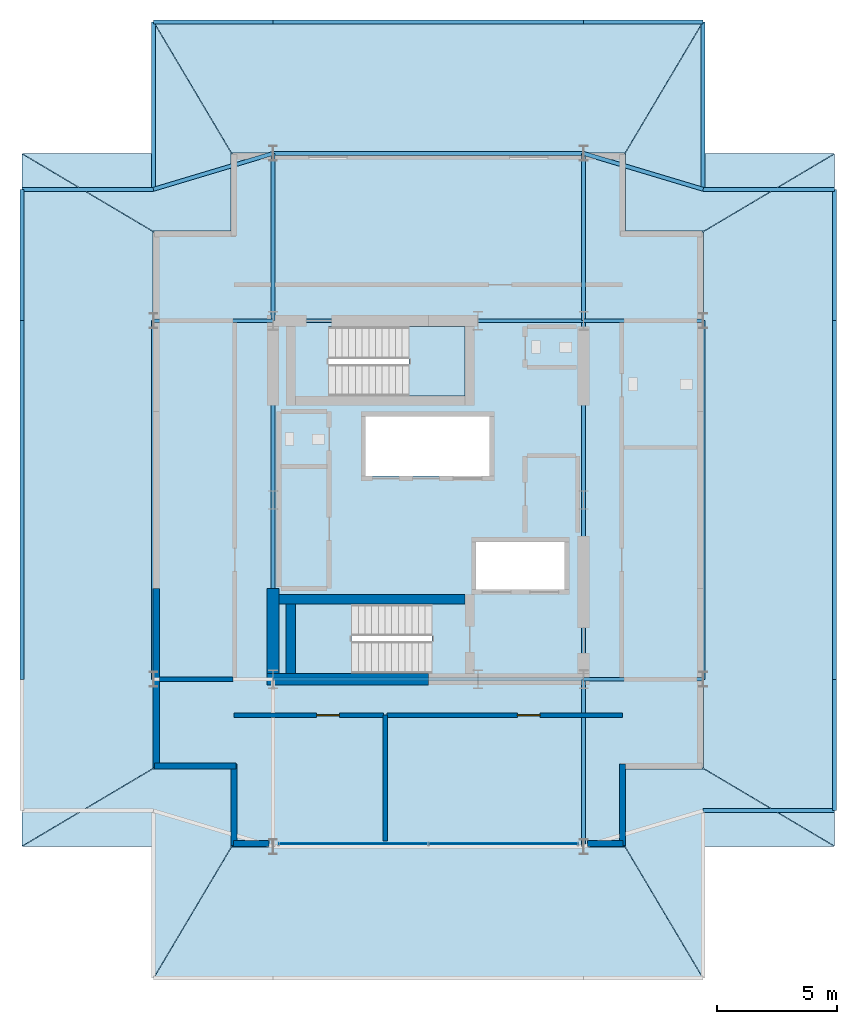
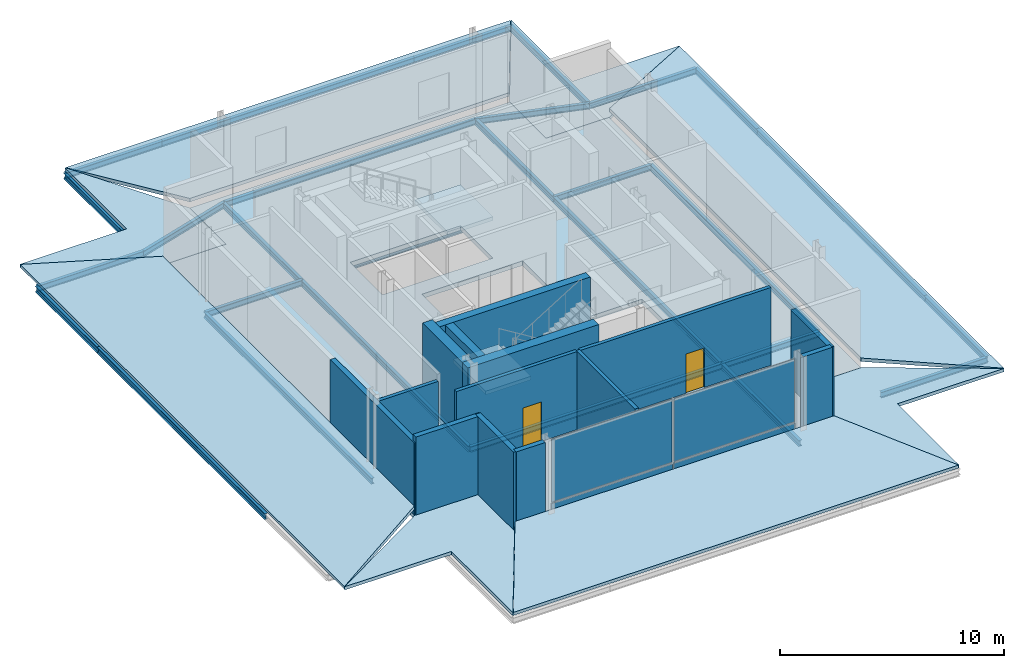
# One storey, part 5 of 9: 28 beams, 14 walls, 11 slabs, 4 plates, 2 doors, 2 openings, 3 elements without a shape of their own.
"""IFC4 building model written with IfcOpenShell, lengths in metres."""

from ifc_helpers import new_model, si_unit, direction, frame, frame_2d, origin, origin_2d, place, context, subcontext, project, spatial, polyline, rectangle, i_section, outline, extrude, material, layer, layer_set, material_profile, profile_set, type_object, element, fill, aggregate, save


model = new_model("IFC4")

# Units and contexts
model_context = context("Model", 3, precision=1e-05, world=origin(), true_north=direction((0.0, 1.0)))
body_context = subcontext(model_context, "Body", "Model", "MODEL_VIEW")
ifc_project = project(units=[si_unit("LENGTHUNIT", "METRE"), si_unit("AREAUNIT", "SQUARE_METRE"), si_unit("VOLUMEUNIT", "CUBIC_METRE"), si_unit("PLANEANGLEUNIT", "RADIAN"), si_unit("MASSUNIT", "GRAM", prefix="KILO")], contexts=[model_context])

# Site, building, storey
site_placement = place(None, origin())
site = spatial("IfcSite", under=ifc_project, at=site_placement, CompositionType="ELEMENT")
building_placement = place(site_placement, origin())
building = spatial("IfcBuilding", under=site, at=building_placement, Name="Barlavira Tower and Art Museum", CompositionType="ELEMENT")
storey_placement = place(building_placement, frame((0.0, 0.0, 309.89990234375)))
storey = spatial("IfcBuildingStorey", under=building, at=storey_placement, Name="L81", CompositionType="ELEMENT", Elevation=309.89990234375)

# Beams
ifc_material_1 = material(Name="Steel S355", Category="steel")
ifc_material_profile = material_profile(ifc_material_1, i_section(OverallWidth=0.1669921875, OverallDepth=0.31689453125, WebThickness=0.007568359375, FlangeThickness=0.01318359375, at=origin_2d()), Name="W310x52.0")
ifc_profile_set = profile_set([ifc_material_profile], Name="Steel S355")
beam_type = type_object("IfcBeamType", Name="Crown Floor Joist W310x52 Steel S355", PredefinedType="JOIST", material=ifc_profile_set)
beam_1_placement = place(storey_placement, frame((-6.5, 14.5, -0.408447265625), z_axis=(1.0, 0.0, 0.0), x_axis=(0.0, 1.0, 0.0)))
element("IfcBeam", 1, at=beam_1_placement, inside=storey, type_object=beam_type, Name="L81 Crown Ring Beam CN", PredefinedType="JOIST", context=body_context, shape_type="SweptSolid", body=[
    extrude(i_section(OverallWidth=0.1669921875, OverallDepth=0.31689453125, WebThickness=0.007568359375, FlangeThickness=0.01318359375, at=origin_2d()), origin(), (0.0, 0.0, 1.0), 13.0),
])
for number, where, z_axis, x_axis, name in (
    (2, (-11.5, -7.5, -0.408447265625), (0.0, 1.0, 0.0), (-1.0, 0.0, 0.0), "L81 Crown Ring Beam CW1"),
    (3, (11.5, -7.5, -0.408447265625), (0.0, 1.0, 0.0), (-1.0, 0.0, 0.0), "L81 Crown Ring Beam CE1"),
):
    element("IfcBeam", number, at=place(storey_placement, frame(where, z_axis=z_axis, x_axis=x_axis)), inside=storey, type_object=beam_type, Name=name, PredefinedType="JOIST", context=body_context, shape_type="SweptSolid", body=[
        extrude(i_section(OverallWidth=0.1669921875, OverallDepth=0.31689453125, WebThickness=0.007568359375, FlangeThickness=0.01318359375, at=origin_2d()), origin(), (0.0, 0.0, 1.0), 15.0),
    ])
for number, where, z_axis, x_axis, name in (
    (4, (6.5, -14.5, -0.408447265625), (0.0, 1.0, 0.0), (-1.0, 0.0, 0.0), "L81 Crown Ring Beam CSR"),
    (5, (-6.5, 7.5, -0.408447265625), (0.0, 1.0, 0.0), (-1.0, 0.0, 0.0), "L81 Crown Ring Beam CNL"),
    (6, (6.5, 7.5, -0.408447265625), (0.0, 1.0, 0.0), (-1.0, 0.0, 0.0), "L81 Crown Ring Beam CNR"),
):
    element("IfcBeam", number, at=place(storey_placement, frame(where, z_axis=z_axis, x_axis=x_axis)), inside=storey, type_object=beam_type, Name=name, PredefinedType="JOIST", context=body_context, shape_type="SweptSolid", body=[
        extrude(i_section(OverallWidth=0.1669921875, OverallDepth=0.31689453125, WebThickness=0.007568359375, FlangeThickness=0.01318359375, at=origin_2d()), origin(), (0.0, 0.0, 1.0), 7.0),
    ])
for number, where, z_axis, x_axis, name in (
    (7, (-11.5, 7.5, -0.408447265625), (1.0, 0.0, 0.0), (0.0, 1.0, 0.0), "L81 Crown Ring Beam CWR"),
    (8, (6.5, -7.5, -0.408447265625), (1.0, 0.0, 0.0), (0.0, 1.0, 0.0), "L81 Crown Ring Beam CEL"),
    (9, (6.5, 7.5, -0.408447265625), (1.0, 0.0, 0.0), (0.0, 1.0, 0.0), "L81 Crown Ring Beam CER"),
):
    element("IfcBeam", number, at=place(storey_placement, frame(where, z_axis=z_axis, x_axis=x_axis)), inside=storey, type_object=beam_type, Name=name, PredefinedType="JOIST", context=body_context, shape_type="SweptSolid", body=[
        extrude(i_section(OverallWidth=0.1669921875, OverallDepth=0.31689453125, WebThickness=0.007568359375, FlangeThickness=0.01318359375, at=origin_2d()), origin(), (0.0, 0.0, 1.0), 5.0),
    ])
for number, where, z_axis, x_axis, name in (
    (10, (-6.5, -7.5, -0.408447265625), (1.0, 0.0, 0.0), (0.0, 1.0, 0.0), "L81 Crown Ring Beam CI1"),
    (11, (-6.5, 7.5, -0.408447265625), (1.0, 0.0, 0.0), (0.0, 1.0, 0.0), "L81 Crown Ring Beam CI2"),
):
    element("IfcBeam", number, at=place(storey_placement, frame(where, z_axis=z_axis, x_axis=x_axis)), inside=storey, type_object=beam_type, Name=name, PredefinedType="JOIST", context=body_context, shape_type="SweptSolid", body=[
        extrude(i_section(OverallWidth=0.1669921875, OverallDepth=0.31689453125, WebThickness=0.007568359375, FlangeThickness=0.01318359375, at=origin_2d()), origin(), (0.0, 0.0, 1.0), 13.0),
    ])
for number, where, z_axis, x_axis, name in (
    (12, (-6.5, -7.5, -0.408447265625), (0.0, 1.0, 0.0), (-1.0, 0.0, 0.0), "L81 Crown Ring Beam CI3"),
    (13, (6.5, -7.5, -0.408447265625), (0.0, 1.0, 0.0), (-1.0, 0.0, 0.0), "L81 Crown Ring Beam CI4"),
):
    element("IfcBeam", number, at=place(storey_placement, frame(where, z_axis=z_axis, x_axis=x_axis)), inside=storey, type_object=beam_type, Name=name, PredefinedType="JOIST", context=body_context, shape_type="SweptSolid", body=[
        extrude(i_section(OverallWidth=0.1669921875, OverallDepth=0.31689453125, WebThickness=0.007568359375, FlangeThickness=0.01318359375, at=origin_2d()), origin(), (0.0, 0.0, 1.0), 15.0),
    ])
beam_2_placement = place(storey_placement, frame((-11.5, 20.0, -0.408447265625), z_axis=(1.0, 0.0, 0.0), x_axis=(0.0, 1.0, 0.0)))
element("IfcBeam", 14, at=beam_2_placement, inside=storey, type_object=beam_type, Name="L81 Lookout Canopy Ring Beam CANN1", PredefinedType="JOIST", context=body_context, shape_type="SweptSolid", body=[
    extrude(i_section(OverallWidth=0.1669921875, OverallDepth=0.31689453125, WebThickness=0.007568359375, FlangeThickness=0.01318359375, at=origin_2d()), origin(), (0.0, 0.0, 1.0), 5.0),
])
beam_3_placement = place(storey_placement, frame((-6.5, 20.0, -0.408447265625), z_axis=(1.0, 0.0, 0.0), x_axis=(0.0, 1.0, 0.0)))
element("IfcBeam", 15, at=beam_3_placement, inside=storey, type_object=beam_type, Name="L81 Lookout Canopy Ring Beam CANN2", PredefinedType="JOIST", context=body_context, shape_type="SweptSolid", body=[
    extrude(i_section(OverallWidth=0.1669921875, OverallDepth=0.31689453125, WebThickness=0.007568359375, FlangeThickness=0.01318359375, at=origin_2d()), origin(), (0.0, 0.0, 1.0), 13.0),
])
beam_4_placement = place(storey_placement, frame((6.5, 20.0, -0.408447265625), z_axis=(1.0, 0.0, 0.0), x_axis=(0.0, 1.0, 0.0)))
element("IfcBeam", 16, at=beam_4_placement, inside=storey, type_object=beam_type, Name="L81 Lookout Canopy Ring Beam CANN3", PredefinedType="JOIST", context=body_context, shape_type="SweptSolid", body=[
    extrude(i_section(OverallWidth=0.1669921875, OverallDepth=0.31689453125, WebThickness=0.007568359375, FlangeThickness=0.01318359375, at=origin_2d()), origin(), (0.0, 0.0, 1.0), 5.0),
])
beam_5_placement = place(storey_placement, frame((-17.0, -7.5, -0.408447265625), z_axis=(0.0, 1.0, 0.0), x_axis=(-1.0, 0.0, 0.0)))
element("IfcBeam", 17, at=beam_5_placement, inside=storey, type_object=beam_type, Name="L81 Lookout Canopy Ring Beam CANW2", PredefinedType="JOIST", context=body_context, shape_type="SweptSolid", body=[
    extrude(i_section(OverallWidth=0.1669921875, OverallDepth=0.31689453125, WebThickness=0.007568359375, FlangeThickness=0.01318359375, at=origin_2d()), origin(), (0.0, 0.0, 1.0), 15.0),
])
for number, where, z_axis, x_axis, name in (
    (18, (-17.0, 7.5, -0.408447265625), (0.0, 1.0, 0.0), (-1.0, 0.0, 0.0), "L81 Lookout Canopy Ring Beam CANW3"),
    (19, (17.0, -13.0, -0.408447265625), (0.0, 1.0, 0.0), (-1.0, 0.0, 0.0), "L81 Lookout Canopy Ring Beam CANE1"),
):
    element("IfcBeam", number, at=place(storey_placement, frame(where, z_axis=z_axis, x_axis=x_axis)), inside=storey, type_object=beam_type, Name=name, PredefinedType="JOIST", context=body_context, shape_type="SweptSolid", body=[
        extrude(i_section(OverallWidth=0.1669921875, OverallDepth=0.31689453125, WebThickness=0.007568359375, FlangeThickness=0.01318359375, at=origin_2d()), origin(), (0.0, 0.0, 1.0), 5.5),
    ])
beam_6_placement = place(storey_placement, frame((17.0, -7.5, -0.408447265625), z_axis=(0.0, 1.0, 0.0), x_axis=(-1.0, 0.0, 0.0)))
element("IfcBeam", 20, at=beam_6_placement, inside=storey, type_object=beam_type, Name="L81 Lookout Canopy Ring Beam CANE2", PredefinedType="JOIST", context=body_context, shape_type="SweptSolid", body=[
    extrude(i_section(OverallWidth=0.1669921875, OverallDepth=0.31689453125, WebThickness=0.007568359375, FlangeThickness=0.01318359375, at=origin_2d()), origin(), (0.0, 0.0, 1.0), 15.0),
])
for number, where, z_axis, x_axis, name in (
    (21, (17.0, 7.5, -0.408447265625), (0.0, 1.0, 0.0), (-1.0, 0.0, 0.0), "L81 Lookout Canopy Ring Beam CANE3"),
    (22, (11.5, -13.0, -0.408447265625), (1.0, 0.0, 0.0), (0.0, 1.0, 0.0), "L81 Lookout Canopy Ring Beam CSE2"),
    (23, (11.5, 13.0, -0.408447265625), (1.0, 0.0, 0.0), (0.0, 1.0, 0.0), "L81 Lookout Canopy Ring Beam CNE1"),
):
    element("IfcBeam", number, at=place(storey_placement, frame(where, z_axis=z_axis, x_axis=x_axis)), inside=storey, type_object=beam_type, Name=name, PredefinedType="JOIST", context=body_context, shape_type="SweptSolid", body=[
        extrude(i_section(OverallWidth=0.1669921875, OverallDepth=0.31689453125, WebThickness=0.007568359375, FlangeThickness=0.01318359375, at=origin_2d()), origin(), (0.0, 0.0, 1.0), 5.5),
    ])
for number, where, z_axis, x_axis, name in (
    (24, (11.5, 13.0, -0.408447265625), (0.0, 1.0, 0.0), (-1.0, 0.0, 0.0), "L81 Lookout Canopy Ring Beam CNE2"),
    (25, (-11.5, 13.0, -0.408447265625), (0.0, 1.0, 0.0), (-1.0, 0.0, 0.0), "L81 Lookout Canopy Ring Beam CNW1"),
):
    element("IfcBeam", number, at=place(storey_placement, frame(where, z_axis=z_axis, x_axis=x_axis)), inside=storey, type_object=beam_type, Name=name, PredefinedType="JOIST", context=body_context, shape_type="SweptSolid", body=[
        extrude(i_section(OverallWidth=0.1669921875, OverallDepth=0.31689453125, WebThickness=0.007568359375, FlangeThickness=0.01318359375, at=origin_2d()), origin(), (0.0, 0.0, 1.0), 7.0),
    ])
beam_7_placement = place(storey_placement, frame((-17.0, 13.0, -0.408447265625), z_axis=(1.0, 0.0, 0.0), x_axis=(0.0, 1.0, 0.0)))
element("IfcBeam", 26, at=beam_7_placement, inside=storey, type_object=beam_type, Name="L81 Lookout Canopy Ring Beam CNW2", PredefinedType="JOIST", context=body_context, shape_type="SweptSolid", body=[
    extrude(i_section(OverallWidth=0.1669921875, OverallDepth=0.31689453125, WebThickness=0.007568359375, FlangeThickness=0.01318359375, at=origin_2d()), origin(), (0.0, 0.0, 1.0), 5.5),
])
for number, where, z_axis, x_axis, name in (
    (27, (-11.5, 13.0, -0.408447265625), (0.957826285221, 0.287347885566, 0.0), (-0.287347885566, 0.957826285221, 0.0), "L81 Lookout Canopy Ring Beam CRNW"),
    (28, (11.5, 13.0, -0.408447265625), (-0.957826285221, 0.287347885566, 0.0), (-0.287347885566, -0.957826285221, 0.0), "L81 Lookout Canopy Ring Beam CRNE"),
):
    element("IfcBeam", number, at=place(storey_placement, frame(where, z_axis=z_axis, x_axis=x_axis)), inside=storey, type_object=beam_type, Name=name, PredefinedType="JOIST", context=body_context, shape_type="SweptSolid", body=[
        extrude(i_section(OverallWidth=0.1669921875, OverallDepth=0.31689453125, WebThickness=0.007568359375, FlangeThickness=0.01318359375, at=origin_2d()), origin(), (0.0, 0.0, 1.0), 5.22021484375),
    ])

# Slab
ifc_material_2 = material(Name="Concrete C50", Category="concrete")
ifc_layer_1 = layer(ifc_material_2, 0.25, Name="Concrete C50")
ifc_layer_set_1 = layer_set([ifc_layer_1], Name="Concrete C50")
slab_type_1 = type_object("IfcSlabType", Name="Crown Conservatory and Plant Slab 250 Concrete C50", PredefinedType="FLOOR", material=ifc_layer_set_1)
slab_1_placement = place(storey_placement, frame((0.0, 0.0, -0.25)))
element("IfcSlab", 29, at=slab_1_placement, inside=storey, type_object=slab_type_1, Name="L81 Crown Floor Slab", PredefinedType="FLOOR", context=body_context, shape_type="SweptSolid", body=[
    extrude(outline(polyline([(-8.25, -14.5), (8.25, -14.5), (8.25, -11.25), (11.5, -11.25), (11.5, 11.25), (8.25, 11.25), (8.25, 14.5), (-8.25, 14.5), (-8.25, 11.25), (-11.5, 11.25), (-11.5, -11.25), (-8.25, -11.25), (-8.25, -14.5)]), holes=[polyline([(0.14990234375, -4.35009765625), (-5.550048828125, -4.35009765625), (-5.550048828125, -7.25), (0.14990234375, -7.25), (0.14990234375, -4.35009765625)]), polyline([(-4.169921875, 4.35009765625), (1.530029296875, 4.35009765625), (1.530029296875, 7.25), (-4.169921875, 7.25), (-4.169921875, 4.35009765625)]), polyline([(-2.6201171875, 1.0), (2.56005859375, 1.0), (2.56005859375, 3.5), (-2.6201171875, 3.5), (-2.6201171875, 1.0)]), polyline([(2.0, -3.75), (5.699951171875, -3.75), (5.699951171875, -1.75), (2.0, -1.75), (2.0, -3.75)])]), origin(), (0.0, 0.0, 1.0), 0.25),
])

# Curtain wall, plates
ifc_material_3 = material(Name="Low-iron coastal laminated glass", Category="glass")
ifc_layer_2 = layer(ifc_material_3, 0.22998046875, Name="Low-iron coastal laminated glass")
ifc_layer_set_2 = layer_set([ifc_layer_2], Name="Low-iron coastal laminated glass")
curtain_wall_type = type_object("IfcCurtainWallType", Name="Winter-Garden Conservatory Glazed Curtain Wall", PredefinedType="NOTDEFINED", material=ifc_layer_set_2)
curtain_wall_placement = place(storey_placement, origin())
curtain_wall = element("IfcCurtainWall", 30, at=curtain_wall_placement, inside=storey, type_object=curtain_wall_type, Name="L81 Curtain Wall CW7-L81-S-B2", PredefinedType="NOTDEFINED")
ifc_material_4 = material(Name="Pale anodised aluminium", Category="aluminium")
ifc_layer_3 = layer(ifc_material_4, 0.044921875, Name="Pale anodised aluminium")
ifc_layer_set_3 = layer_set([ifc_layer_3], Name="Pale anodised aluminium")
plate_type_1 = type_object("IfcPlateType", Name="Curtain Wall Pale-Metal Spandrel Panel 45", PredefinedType="CURTAIN_PANEL", material=ifc_layer_set_3)
plate_1_placement = place(storey_placement, frame((-3.157958984375, -14.3798828125, 0.0400390625), z_axis=(0.0, 0.0, 1.0), x_axis=(1.0, 0.0, 0.0)))
plate_1 = element("IfcPlate", 31, at=plate_1_placement, type_object=plate_type_1, Name="CW7-L81-S-B2 Spandrel Panel 0", PredefinedType="CURTAIN_PANEL", context=body_context, shape_type="SweptSolid", body=[
    extrude(rectangle(XDim=6.216064453125, YDim=0.044921875, at=origin_2d()), origin(), (0.0, 0.0, 1.0), 0.669921875),
])
plate_2_placement = place(storey_placement, frame((3.157958984375, -14.3798828125, 0.0400390625), z_axis=(0.0, 0.0, 1.0), x_axis=(1.0, 0.0, 0.0)))
plate_2 = element("IfcPlate", 32, at=plate_2_placement, type_object=plate_type_1, Name="CW7-L81-S-B2 Spandrel Panel 1", PredefinedType="CURTAIN_PANEL", context=body_context, shape_type="SweptSolid", body=[
    extrude(rectangle(XDim=6.216064453125, YDim=0.044921875, at=origin_2d()), origin(), (0.0, 0.0, 1.0), 0.669921875),
])
ifc_layer_4 = layer(ifc_material_3, 0.028076171875, Name="Low-iron coastal laminated glass")
ifc_layer_set_4 = layer_set([ifc_layer_4], Name="Low-iron coastal laminated glass")
plate_type_2 = type_object("IfcPlateType", Name="Curtain Wall Vision Glazing Panel 28", PredefinedType="CURTAIN_PANEL", material=ifc_layer_set_4)
plate_3_placement = place(storey_placement, frame((-3.157958984375, -14.3798828125, 0.7900390625), z_axis=(0.0, 0.0, 1.0), x_axis=(1.0, 0.0, 0.0)))
plate_3 = element("IfcPlate", 33, at=plate_3_placement, type_object=plate_type_2, Name="CW7-L81-S-B2 Vision Glass Panel 0", PredefinedType="CURTAIN_PANEL", context=body_context, shape_type="SweptSolid", body=[
    extrude(rectangle(XDim=6.216064453125, YDim=0.028076171875, at=origin_2d()), origin(), (0.0, 0.0, 1.0), 3.419921875),
])
plate_4_placement = place(storey_placement, frame((3.157958984375, -14.3798828125, 0.7900390625), z_axis=(0.0, 0.0, 1.0), x_axis=(1.0, 0.0, 0.0)))
plate_4 = element("IfcPlate", 34, at=plate_4_placement, type_object=plate_type_2, Name="CW7-L81-S-B2 Vision Glass Panel 1", PredefinedType="CURTAIN_PANEL", context=body_context, shape_type="SweptSolid", body=[
    extrude(rectangle(XDim=6.216064453125, YDim=0.028076171875, at=origin_2d()), origin(), (0.0, 0.0, 1.0), 3.419921875),
])
aggregate(curtain_wall, [plate_1, plate_3, plate_2, plate_4])

# Slabs
ifc_material_5 = material(Name="Pale anodised steel S355", Category="steel")
ifc_layer_5 = layer(ifc_material_5, 0.179931640625, Name="Pale anodised steel S355")
ifc_layer_set_5 = layer_set([ifc_layer_5], Name="Pale anodised steel S355")
slab_type_2 = type_object("IfcSlabType", Name="Sloped Pale-Metal Lookout Canopy Roof 180 Steel S355", PredefinedType="ROOF", material=ifc_layer_set_5)
slab_2_placement = place(storey_placement, frame((-8.22998046875, -14.52001953125, 0.5), z_axis=(0.0, -0.090863766544, 0.995863331953), x_axis=(1.0, 0.0, 0.0)))
element("IfcSlab", 35, at=slab_2_placement, inside=storey, type_object=slab_type_2, Name="L81 S Sloped Lookout Canopy", PredefinedType="ROOF", context=body_context, shape_type="SweptSolid", body=[
    extrude(outline(polyline([(0.0, 0.0), (16.4599609375, 0.0), (19.7099609375, -5.502743491921232), (-3.25, -5.502743491921232), (0.0, 0.0)])), origin(), (0.0, 0.0, -1.0), 0.179931640625),
])
slab_3_placement = place(storey_placement, frame((-11.47998046875, 20.0, 0.0), z_axis=(0.0, 0.090863766544, 0.995863331953), x_axis=(1.0, 0.0, 0.0)))
element("IfcSlab", 36, at=slab_3_placement, inside=storey, type_object=slab_type_2, Name="L81 N Sloped Lookout Canopy", PredefinedType="ROOF", context=body_context, shape_type="SweptSolid", body=[
    extrude(outline(polyline([(0.0, 0.0), (22.9599609375, 0.0), (19.7099609375, -5.502743491921232), (3.25, -5.502743491921232), (0.0, 0.0)])), origin(), (0.0, 0.0, -1.0), 0.179931640625),
])
slab_4_placement = place(storey_placement, frame((-17.0, -14.47998046875, 0.0), z_axis=(-0.090863766544, 0.0, 0.995863331953), x_axis=(0.857475782454, 0.508541282012, 0.078237120309)))
element("IfcSlab", 37, at=slab_4_placement, inside=storey, type_object=slab_type_2, Name="L81 W Sloped Lookout Canopy", PredefinedType="ROOF", context=body_context, shape_type="SweptSolid", body=[
    extrude(outline(polyline([(0.0, 0.0), (6.390828266968334, 2.185751579730777e-16), (17.812645596054875, 19.3388710687828), (14.727335662161892, 24.93561552870794), (0.0, 0.0)])), origin(), (0.0, 0.0, -1.0), 0.179931640625),
])
slab_5_placement = place(storey_placement, frame((11.52001953125, -11.22998046875, 0.5), z_axis=(0.090863766544, 0.0, 0.995863331953), x_axis=(0.857475782454, -0.508541282012, -0.078237120309)))
element("IfcSlab", 38, at=slab_5_placement, inside=storey, type_object=slab_type_2, Name="L81 E Sloped Lookout Canopy", PredefinedType="ROOF", context=body_context, shape_type="SweptSolid", body=[
    extrude(outline(polyline([(0.0, 0.0), (6.390828266968334, -2.185751579730777e-16), (-8.336507395193559, 24.93561552870794), (-11.42181732908654, 19.3388710687828), (0.0, 0.0)])), origin(), (0.0, 0.0, -1.0), 0.179931640625),
])
slab_6_placement = place(storey_placement, frame((0.0, 0.0, -0.179931640625)))
element("IfcSlab", 39, at=slab_6_placement, inside=storey, type_object=slab_type_2, Name="L81 SW Corner Lookout Canopy Ring", PredefinedType="ROOF", context=body_context, shape_type="SweptSolid", body=[
    extrude(outline(polyline([(-17.0, -14.5), (-11.5, -14.5), (-11.5, -20.0), (-8.25, -14.52001953125), (-8.25, -11.25), (-11.52001953125, -11.25), (-17.0, -14.5)])), origin(), (0.0, 0.0, 1.0), 0.179931640625),
])
slab_7_placement = place(storey_placement, frame((0.0, 0.0, -0.179931640625)))
element("IfcSlab", 40, at=slab_7_placement, inside=storey, type_object=slab_type_2, Name="L81 SE Corner Lookout Canopy Ring", PredefinedType="ROOF", context=body_context, shape_type="SweptSolid", body=[
    extrude(outline(polyline([(11.5, -20.0), (11.5, -14.5), (17.0, -14.5), (11.52001953125, -11.25), (8.25, -11.25), (8.25, -14.52001953125), (11.5, -20.0)])), origin(), (0.0, 0.0, 1.0), 0.179931640625),
])
slab_8_placement = place(storey_placement, frame((0.0, 0.0, -0.179931640625)))
element("IfcSlab", 41, at=slab_8_placement, inside=storey, type_object=slab_type_2, Name="L81 NE Corner Lookout Canopy Ring", PredefinedType="ROOF", context=body_context, shape_type="SweptSolid", body=[
    extrude(outline(polyline([(11.52001953125, 11.25), (17.0, 14.5), (11.5, 14.5), (11.5, 20.0), (8.25, 14.52001953125), (8.25, 11.25), (11.52001953125, 11.25)])), origin(), (0.0, 0.0, 1.0), 0.179931640625),
])
slab_9_placement = place(storey_placement, frame((0.0, 0.0, -0.179931640625)))
element("IfcSlab", 42, at=slab_9_placement, inside=storey, type_object=slab_type_2, Name="L81 NW Corner Lookout Canopy Ring", PredefinedType="ROOF", context=body_context, shape_type="SweptSolid", body=[
    extrude(outline(polyline([(-17.0, 14.5), (-11.52001953125, 11.25), (-8.25, 11.25), (-8.25, 14.52001953125), (-11.5, 20.0), (-11.5, 14.5), (-17.0, 14.5)])), origin(), (0.0, 0.0, 1.0), 0.179931640625),
])

# Stair, slab
ifc_material_6 = material(Name="Concrete C45", Category="concrete")
stair_type_1 = type_object("IfcStairType", Name="Tower North Dog-Leg Exit Stair Assembly Concrete C45", PredefinedType="TWO_QUARTER_TURN_STAIR", material=ifc_material_6)
stair_1_placement = place(storey_placement, origin())
stair_1 = element("IfcStair", 43, at=stair_1_placement, inside=storey, type_object=stair_type_1, Name="L81 Tower North Exit Stair ST-T2", PredefinedType="TWO_QUARTER_TURN_STAIR")
ifc_layer_6 = layer(ifc_material_6, 0.199951171875, Name="Concrete C45")
ifc_layer_set_6 = layer_set([ifc_layer_6], Name="Concrete C45")
slab_type_3 = type_object("IfcSlabType", Name="Tower North Dog-Leg Exit Stair Half-Landing Slab 200 Concrete C45", PredefinedType="LANDING", material=ifc_layer_set_6)
slab_10_placement = place(storey_placement, frame((0.0, 0.0, 2.050048828125)))
slab_10 = element("IfcSlab", 44, at=slab_10_placement, type_object=slab_type_3, Name="ST-T2 landing 1", PredefinedType="LANDING", context=body_context, shape_type="SweptSolid", body=[
    extrude(outline(polyline([(-0.81005859375, 4.35009765625), (1.530029296875, 4.35009765625), (1.530029296875, 7.25), (-0.81005859375, 7.25), (-0.81005859375, 4.35009765625)])), origin(), (0.0, 0.0, 1.0), 0.199951171875),
])
aggregate(stair_1, [slab_10])

stair_type_2 = type_object("IfcStairType", Name="Tower South Dog-Leg Exit Stair Assembly Concrete C45", PredefinedType="TWO_QUARTER_TURN_STAIR", material=ifc_material_6)
stair_2_placement = place(storey_placement, origin())
stair_2 = element("IfcStair", 45, at=stair_2_placement, inside=storey, type_object=stair_type_2, Name="L81 Tower South Exit Stair ST-T1", PredefinedType="TWO_QUARTER_TURN_STAIR")
ifc_layer_7 = layer(ifc_material_6, 0.199951171875, Name="Concrete C45")
ifc_layer_set_7 = layer_set([ifc_layer_7], Name="Concrete C45")
slab_type_4 = type_object("IfcSlabType", Name="Tower South Dog-Leg Exit Stair Half-Landing Slab 200 Concrete C45", PredefinedType="LANDING", material=ifc_layer_set_7)
slab_11_placement = place(storey_placement, frame((0.0, 0.0, 2.050048828125)))
slab_11 = element("IfcSlab", 46, at=slab_11_placement, type_object=slab_type_4, Name="ST-T1 landing 1", PredefinedType="LANDING", context=body_context, shape_type="SweptSolid", body=[
    extrude(outline(polyline([(-3.2099609375, -4.35009765625), (-5.550048828125, -4.35009765625), (-5.550048828125, -7.25), (-3.2099609375, -7.25), (-3.2099609375, -4.35009765625)])), origin(), (0.0, 0.0, 1.0), 0.199951171875),
])
aggregate(stair_2, [slab_11])

# Walls
ifc_material_7 = material(Name="Concrete C60", Category="concrete")
ifc_layer_8 = layer(ifc_material_7, 0.5, Name="Concrete C60")
ifc_layer_set_8 = layer_set([ifc_layer_8], Name="Concrete C60")
wall_type_1 = type_object("IfcWallType", Name="Core Structural Shear Wall 500 Concrete C60", PredefinedType="SHEAR", material=ifc_layer_set_8)
wall_1_placement = place(storey_placement, frame((-6.75, -7.5, 0.0), z_axis=(0.0, 0.0, 1.0), x_axis=(1.0, 0.0, 0.0)))
element("IfcWall", 47, at=wall_1_placement, inside=storey, type_object=wall_type_1, Name="L81 Core Shear Wall CS-SW", PredefinedType="SHEAR", context=body_context, shape_type="SweptSolid", body=[
    extrude(rectangle(XDim=6.75, YDim=0.5, at=frame_2d((3.375, 0.0))), origin(), (0.0, 0.0, 1.0), 4.25),
])
wall_2_placement = place(storey_placement, frame((-6.5, -7.25, 0.0), z_axis=(0.0, 0.0, 1.0), x_axis=(0.0, 1.0, 0.0)))
element("IfcWall", 48, at=wall_2_placement, inside=storey, type_object=wall_type_1, Name="L81 Core Shear Wall CS-W1", PredefinedType="SHEAR", context=body_context, shape_type="SweptSolid", body=[
    extrude(rectangle(XDim=3.550048828125, YDim=0.5, at=frame_2d((1.77490234375, 0.0))), origin(), (0.0, 0.0, 1.0), 4.25),
])
ifc_material_8 = material(Name="Architectural white precast concrete C40", Category="concrete")
ifc_layer_9 = layer(ifc_material_8, 0.260009765625, Name="Architectural white precast concrete C40")
ifc_layer_set_9 = layer_set([ifc_layer_9], Name="Architectural white precast concrete C40")
wall_type_2 = type_object("IfcWallType", Name="Crown Architectural White Precast Wall 260 Concrete C40", PredefinedType="SOLIDWALL", material=ifc_layer_set_9)
wall_3_placement = place(storey_placement, frame((-11.3798828125, -3.699951171875, 0.0), z_axis=(0.0, 0.0, 1.0), x_axis=(0.0, -1.0, 0.0)))
element("IfcWall", 49, at=wall_3_placement, inside=storey, type_object=wall_type_2, Name="L81 Chisel W White Precast Wall 1", PredefinedType="SOLIDWALL", context=body_context, shape_type="SweptSolid", body=[
    extrude(rectangle(XDim=7.5, YDim=0.260009765625, at=frame_2d((3.75, 0.0))), origin(), (0.0, 0.0, 1.0), 3.918212890625),
])
for number, where, z_axis, x_axis, name in (
    (50, (-11.4599609375, -11.1298828125, 0.0), (0.0, 0.0, 1.0), (1.0, 0.0, 0.0), "L81 Crown Notch White Precast Wall SW1"),
    (51, (-8.1298828125, -11.050048828125, 0.0), (0.0, 0.0, 1.0), (0.0, -1.0, 0.0), "L81 Crown Notch White Precast Wall SW2"),
    (52, (8.1298828125, -14.4599609375, 0.0), (0.0, 0.0, 1.0), (0.0, 1.0, 0.0), "L81 Crown Notch White Precast Wall SE1"),
):
    element("IfcWall", number, at=place(storey_placement, frame(where, z_axis=z_axis, x_axis=x_axis)), inside=storey, type_object=wall_type_2, Name=name, PredefinedType="SOLIDWALL", context=body_context, shape_type="SweptSolid", body=[
        extrude(rectangle(XDim=3.409912109375, YDim=0.260009765625, at=frame_2d((1.705078125, 0.0))), origin(), (0.0, 0.0, 1.0), 4.25),
    ])
ifc_material_9 = material(Name="Gypsum acoustic stud partition", Category="gypsum")
ifc_layer_10 = layer(ifc_material_9, 0.179931640625, Name="Gypsum acoustic stud partition")
ifc_layer_set_10 = layer_set([ifc_layer_10], Name="Gypsum acoustic stud partition")
wall_type_3 = type_object("IfcWallType", Name="Inter-Tenancy Party Partition Wall 180", PredefinedType="PARTITIONING", material=ifc_layer_set_10)
wall_4_placement = place(storey_placement, frame((-1.800048828125, -14.260009765625, 0.0), z_axis=(0.0, 0.0, 1.0), x_axis=(0.0, 1.0, 0.0)))
element("IfcWall", 53, at=wall_4_placement, inside=storey, type_object=wall_type_3, Name="L81 Partition Wall 4", PredefinedType="PARTITIONING", context=body_context, shape_type="SweptSolid", body=[
    extrude(rectangle(XDim=5.260009765625, YDim=0.179931640625, at=frame_2d((2.6298828125, 0.0))), origin(), (0.0, 0.0, 1.0), 4.25),
])

# Wall, opening, door
wall_5_placement = place(storey_placement, frame((-8.1201171875, -9.0, 0.0), z_axis=(0.0, 0.0, 1.0), x_axis=(1.0, 0.0, 0.0)))
wall_5 = element("IfcWall", 54, at=wall_5_placement, inside=storey, type_object=wall_type_3, Name="L81 Partition Wall 9", PredefinedType="PARTITIONING", context=body_context, shape_type="SweptSolid", body=[
    extrude(rectangle(XDim=6.240234375, YDim=0.179931640625, at=frame_2d((3.1201171875, 0.0))), origin(), (0.0, 0.0, 1.0), 4.25),
])
opening_1_placement = place(wall_5_placement, frame((3.445068359375, 0.0, 0.0)))
opening_1 = element("IfcOpeningElement", 55, at=opening_1_placement, cuts=wall_5, Name="Opening FD-60", PredefinedType="OPENING", context=body_context, shape_type="SweptSolid", body=[
    extrude(rectangle(XDim=0.949951171875, YDim=2.14990234375, at=frame_2d((0.47509765625, 1.074951171875))), frame((0.0, 0.10009765625, 0.0), z_axis=(0.0, -1.0, 0.0), x_axis=(1.0, 0.0, 0.0)), (0.0, 0.0, 1.0), 0.199951171875),
])
ifc_material_10 = material(Name="Brushed stainless steel", Category="steel")
door_type = type_object("IfcDoorType", Name="Apartment Entrance and Riser Fire Door 950x2150 FD60S", OperationType="NOTDEFINED", PredefinedType="DOOR", material=ifc_material_10)
door_1_placement = place(opening_1_placement, origin())
door_1 = element("IfcDoor", 56, at=door_1_placement, inside=storey, type_object=door_type, Name="L81 Atlantic Bromeliad Winter Garden Door", OperationType="SINGLE_SWING_LEFT", OverallHeight=2.14990234375, OverallWidth=0.949951171875, PredefinedType="DOOR", context=body_context, shape_type="SweptSolid", body=[
    extrude(rectangle(XDim=0.949951171875, YDim=2.14990234375, at=frame_2d((0.47509765625, 1.074951171875))), frame((0.0, 0.02490234375, 0.0), z_axis=(0.0, -1.0, 0.0), x_axis=(1.0, 0.0, 0.0)), (0.0, 0.0, 1.0), 0.050048828125),
])
fill(opening_1, door_1)

wall_6_placement = place(storey_placement, frame((-1.719970703125, -9.0, 0.0), z_axis=(0.0, 0.0, 1.0), x_axis=(1.0, 0.0, 0.0)))
wall_6 = element("IfcWall", 57, at=wall_6_placement, inside=storey, type_object=wall_type_3, Name="L81 Partition Wall 10", PredefinedType="PARTITIONING", context=body_context, shape_type="SweptSolid", body=[
    extrude(rectangle(XDim=9.840087890625, YDim=0.179931640625, at=frame_2d((4.919921875, 0.0))), origin(), (0.0, 0.0, 1.0), 4.25),
])
opening_2_placement = place(wall_6_placement, frame((5.445068359375, 0.0, 0.0)))
opening_2 = element("IfcOpeningElement", 58, at=opening_2_placement, cuts=wall_6, Name="Opening FD-60", PredefinedType="OPENING", context=body_context, shape_type="SweptSolid", body=[
    extrude(rectangle(XDim=0.949951171875, YDim=2.14990234375, at=frame_2d((0.47509765625, 1.074951171875))), frame((0.0, 0.10009765625, 0.0), z_axis=(0.0, -1.0, 0.0), x_axis=(1.0, 0.0, 0.0)), (0.0, 0.0, 1.0), 0.199951171875),
])
door_2_placement = place(opening_2_placement, origin())
door_2 = element("IfcDoor", 59, at=door_2_placement, inside=storey, type_object=door_type, Name="L81 Botanical Tea and Tasting Pavilion Door", OperationType="SINGLE_SWING_RIGHT", OverallHeight=2.14990234375, OverallWidth=0.949951171875, PredefinedType="DOOR", context=body_context, shape_type="SweptSolid", body=[
    extrude(rectangle(XDim=0.949951171875, YDim=2.14990234375, at=frame_2d((0.47509765625, 1.074951171875))), frame((0.0, 0.02490234375, 0.0), z_axis=(0.0, -1.0, 0.0), x_axis=(1.0, 0.0, 0.0)), (0.0, 0.0, 1.0), 0.050048828125),
])
fill(opening_2, door_2)

# Walls
wall_7_placement = place(storey_placement, frame((-11.2451171875, -7.5, 0.0), z_axis=(0.0, 0.0, 1.0), x_axis=(1.0, 0.0, 0.0)))
element("IfcWall", 60, at=wall_7_placement, inside=storey, type_object=wall_type_3, Name="L81 Partition Wall 11", PredefinedType="PARTITIONING", context=body_context, shape_type="SweptSolid", body=[
    extrude(rectangle(XDim=3.065185546875, YDim=0.179931640625, at=frame_2d((1.53271484375, 0.0))), origin(), (0.0, 0.0, 1.0), 3.918212890625),
])
ifc_material_11 = material(Name="Precast concrete C40", Category="concrete")
ifc_layer_11 = layer(ifc_material_11, 0.25, Name="Precast concrete C40")
ifc_layer_set_11 = layer_set([ifc_layer_11], Name="Precast concrete C40")
wall_type_4 = type_object("IfcWallType", Name="Notched Corner Spandrel Wall 250 Precast Concrete C40", PredefinedType="SOLIDWALL", material=ifc_layer_set_11)
for number, where, z_axis, x_axis, name in (
    (61, (-8.155029296875, -14.3798828125, 0.0), (0.0, 0.0, 1.0), (1.0, 0.0, 0.0), "L81 Coastal Facade Pier Wall CW7-L81-S-1"),
    (62, (6.658935546875, -14.3798828125, 0.0), (0.0, 0.0, 1.0), (1.0, 0.0, 0.0), "L81 Coastal Facade Pier Wall CW7-L81-S-3"),
):
    element("IfcWall", number, at=place(storey_placement, frame(where, z_axis=z_axis, x_axis=x_axis)), inside=storey, type_object=wall_type_4, Name=name, PredefinedType="SOLIDWALL", context=body_context, shape_type="SweptSolid", body=[
        extrude(rectangle(XDim=1.49609375, YDim=0.25, at=frame_2d((0.748046875, 0.0))), origin(), (0.0, 0.0, 1.0), 4.25),
    ])
ifc_material_12 = material(Name="Concrete C55", Category="concrete")
ifc_layer_12 = layer(ifc_material_12, 0.39990234375, Name="Concrete C55")
ifc_layer_set_12 = layer_set([ifc_layer_12], Name="Concrete C55")
wall_type_5 = type_object("IfcWallType", Name="Upper Core Shear Wall 400 Concrete C55", PredefinedType="SHEAR", material=ifc_layer_set_12)
wall_8_placement = place(storey_placement, frame((-5.75, -7.25, 0.0), z_axis=(0.0, 0.0, 1.0), x_axis=(0.0, 1.0, 0.0)))
element("IfcWall", 63, at=wall_8_placement, inside=storey, type_object=wall_type_5, Name="L81 ST-T1 West Half-Landing Wall", PredefinedType="SHEAR", context=body_context, shape_type="SweptSolid", body=[
    extrude(rectangle(XDim=2.89990234375, YDim=0.39990234375, at=frame_2d((1.449951171875, 0.0))), origin(), (0.0, 0.0, 1.0), 4.25),
])
wall_9_placement = place(storey_placement, frame((-6.25, -4.14990234375, 0.0), z_axis=(0.0, 0.0, 1.0), x_axis=(1.0, 0.0, 0.0)))
element("IfcWall", 64, at=wall_9_placement, inside=storey, type_object=wall_type_5, Name="L81 ST-T1 North Shaft Wall", PredefinedType="SHEAR", context=body_context, shape_type="SweptSolid", body=[
    extrude(rectangle(XDim=7.780029296875, YDim=0.39990234375, at=frame_2d((3.89013671875, 0.0))), origin(), (0.0, 0.0, 1.0), 4.25),
])

save(model, "model.ifc")
